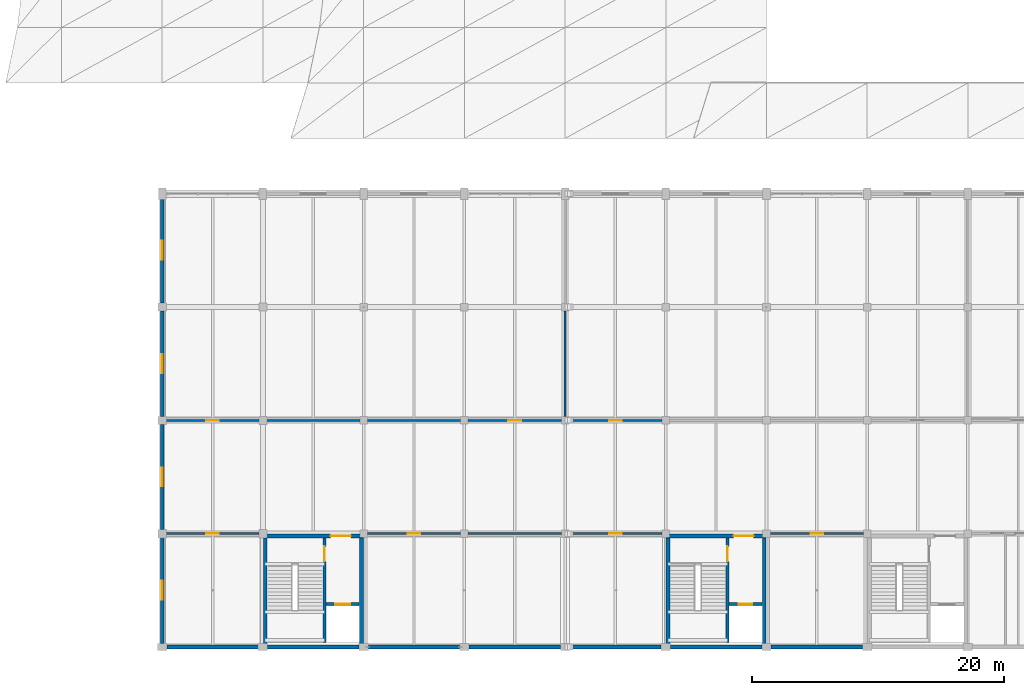
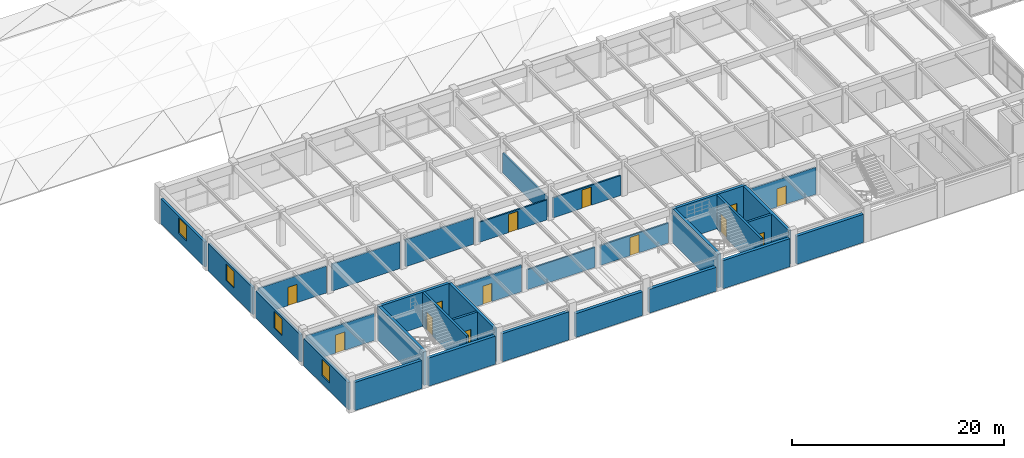
# One storey, part 96 of 126: 32 walls, 13 doors, 4 windows, 17 openings.
"""IFC4 building model written with IfcOpenShell, lengths in metres."""

from ifc_helpers import new_model, si_unit, direction, frame, frame_2d, origin, place, context, subcontext, project, spatial, rectangle, extrude, material, layer, layer_set, type_object, element, fill, save


model = new_model("IFC4")

# Units and contexts
model_context = context("Model", 3, precision=1e-05, world=origin(), true_north=direction((0.0, 1.0)))
body_context = subcontext(model_context, "Body", "Model", "MODEL_VIEW")
ifc_project = project(units=[si_unit("LENGTHUNIT", "METRE"), si_unit("AREAUNIT", "SQUARE_METRE"), si_unit("VOLUMEUNIT", "CUBIC_METRE"), si_unit("PLANEANGLEUNIT", "RADIAN"), si_unit("MASSUNIT", "GRAM", prefix="KILO")], contexts=[model_context])

# Site, building, storey
site_placement = place(None, origin())
site = spatial("IfcSite", under=ifc_project, at=site_placement, CompositionType="ELEMENT")
building_placement = place(site_placement, origin())
building = spatial("IfcBuilding", under=site, at=building_placement, Name="Varnabhumi Central Station", CompositionType="ELEMENT")
storey_placement = place(building_placement, frame((0.0, 0.0, 16.199951171875)))
storey = spatial("IfcBuildingStorey", under=building, at=storey_placement, Name="L03", CompositionType="ELEMENT", Elevation=16.199951171875)

# Walls
ifc_material_1 = material(Name="Concrete M40", Category="concrete")
ifc_layer_1 = layer(ifc_material_1, 0.300048828125, Name="Concrete M40", Category="concrete")
ifc_layer_set_1 = layer_set([ifc_layer_1], Name="Concrete M40")
wall_type_1 = type_object("IfcWallType", Name="WAL-CORE-RC-300", PredefinedType="SHEAR", material=ifc_layer_set_1)
for number, where, z_axis, x_axis, name in (
    (1, (40.179931640625, 0.179931640625, 0.0), (0.0, 0.0, 1.0), (0.0, 1.0, 0.0), "SC1 L03 West Shear Wall"),
    (2, (47.820068359375, 0.179931640625, 0.0), (0.0, 0.0, 1.0), (0.0, 1.0, 0.0), "SC1 L03 East Shear Wall"),
):
    element("IfcWall", number, at=place(storey_placement, frame(where, z_axis=z_axis, x_axis=x_axis)), inside=storey, type_object=wall_type_1, Name=name, PredefinedType="SHEAR", context=body_context, shape_type="SweptSolid", body=[
        extrude(rectangle(XDim=8.64013671875, YDim=0.300048828125, at=frame_2d((4.320068359375, 0.0))), origin(), (0.0, 0.0, 1.0), 3.920166015625),
    ])

# Wall, opening, door
wall_1_placement = place(storey_placement, frame((40.030029296875, 8.820068359375, 0.0), z_axis=(0.0, 0.0, 1.0), x_axis=(1.0, 0.0, 0.0)))
wall_1 = element("IfcWall", 3, at=wall_1_placement, inside=storey, type_object=wall_type_1, Name="SC1 L03 Corridor Shear Wall", PredefinedType="SHEAR", context=body_context, shape_type="SweptSolid", body=[
    extrude(rectangle(XDim=7.93994140625, YDim=0.300048828125, at=frame_2d((3.969970703125, 0.0))), origin(), (0.0, 0.0, 1.0), 3.920166015625),
])
opening_1_placement = place(wall_1_placement, frame((5.35009765625, 0.0, 0.0)))
opening_1 = element("IfcOpeningElement", 4, at=opening_1_placement, cuts=wall_1, Name="Opening FD-60D", PredefinedType="OPENING", context=body_context, shape_type="SweptSolid", body=[
    extrude(rectangle(XDim=1.60009765625, YDim=2.14990234375, at=frame_2d((0.800048828125, 1.074951171875))), frame((0.0, 0.159912109375, 0.0), z_axis=(0.0, -1.0, 0.0), x_axis=(1.0, 0.0, 0.0)), (0.0, 0.0, 1.0), 0.320068359375),
])
ifc_material_2 = material(Name="Intumescent-treated hardwood timber", Category="wood")
door_type_1 = type_object("IfcDoorType", Name="DR-FIRE-60-1600", OperationType="NOTDEFINED", PredefinedType="DOOR", material=ifc_material_2)
door_1_placement = place(opening_1_placement, origin())
door_1 = element("IfcDoor", 5, at=door_1_placement, inside=storey, type_object=door_type_1, Name="SC1 L03 Lobby Fire Door", OperationType="DOUBLE_DOOR_SINGLE_SWING", OverallHeight=2.14990234375, OverallWidth=1.60009765625, PredefinedType="DOOR", context=body_context, shape_type="SweptSolid", body=[
    extrude(rectangle(XDim=1.60009765625, YDim=2.14990234375, at=frame_2d((0.800048828125, 1.074951171875))), frame((0.0, 0.02490234375, 0.0), z_axis=(0.0, -1.0, 0.0), x_axis=(1.0, 0.0, 0.0)), (0.0, 0.0, 1.0), 0.050048828125),
])
fill(opening_1, door_1)

# Walls
for number, where, z_axis, x_axis, name in (
    (6, (72.179931640625, 0.179931640625, 0.0), (0.0, 0.0, 1.0), (0.0, 1.0, 0.0), "SC4 L03 West Shear Wall"),
    (7, (79.820068359375, 0.179931640625, 0.0), (0.0, 0.0, 1.0), (0.0, 1.0, 0.0), "SC4 L03 East Shear Wall"),
):
    element("IfcWall", number, at=place(storey_placement, frame(where, z_axis=z_axis, x_axis=x_axis)), inside=storey, type_object=wall_type_1, Name=name, PredefinedType="SHEAR", context=body_context, shape_type="SweptSolid", body=[
        extrude(rectangle(XDim=8.64013671875, YDim=0.300048828125, at=frame_2d((4.320068359375, 0.0))), origin(), (0.0, 0.0, 1.0), 3.920166015625),
    ])

# Wall, opening, door
wall_2_placement = place(storey_placement, frame((72.030029296875, 8.820068359375, 0.0), z_axis=(0.0, 0.0, 1.0), x_axis=(1.0, 0.0, 0.0)))
wall_2 = element("IfcWall", 8, at=wall_2_placement, inside=storey, type_object=wall_type_1, Name="SC4 L03 Corridor Shear Wall", PredefinedType="SHEAR", context=body_context, shape_type="SweptSolid", body=[
    extrude(rectangle(XDim=7.93994140625, YDim=0.300048828125, at=frame_2d((3.969970703125, 0.0))), origin(), (0.0, 0.0, 1.0), 3.920166015625),
])
opening_2_placement = place(wall_2_placement, frame((5.35009765625, 0.0, 0.0)))
opening_2 = element("IfcOpeningElement", 9, at=opening_2_placement, cuts=wall_2, Name="Opening FD-60D", PredefinedType="OPENING", context=body_context, shape_type="SweptSolid", body=[
    extrude(rectangle(XDim=1.60009765625, YDim=2.14990234375, at=frame_2d((0.800048828125, 1.074951171875))), frame((0.0, 0.159912109375, 0.0), z_axis=(0.0, -1.0, 0.0), x_axis=(1.0, 0.0, 0.0)), (0.0, 0.0, 1.0), 0.320068359375),
])
door_2_placement = place(opening_2_placement, origin())
door_2 = element("IfcDoor", 10, at=door_2_placement, inside=storey, type_object=door_type_1, Name="SC4 L03 Lobby Fire Door", OperationType="DOUBLE_DOOR_SINGLE_SWING", OverallHeight=2.14990234375, OverallWidth=1.60009765625, PredefinedType="DOOR", context=body_context, shape_type="SweptSolid", body=[
    extrude(rectangle(XDim=1.60009765625, YDim=2.14990234375, at=frame_2d((0.800048828125, 1.074951171875))), frame((0.0, 0.02490234375, 0.0), z_axis=(0.0, -1.0, 0.0), x_axis=(1.0, 0.0, 0.0)), (0.0, 0.0, 1.0), 0.050048828125),
])
fill(opening_2, door_2)

# Wall, opening, window
ifc_material_3 = material(Name="Autoclaved aerated blockwork masonry", Category="masonry")
ifc_layer_2 = layer(ifc_material_3, 0.260009765625, Name="Autoclaved aerated blockwork masonry", Category="masonry")
ifc_layer_set_2 = layer_set([ifc_layer_2], Name="Autoclaved aerated blockwork masonry")
wall_type_2 = type_object("IfcWallType", Name="WAL-EXT-STUCCO-260", PredefinedType="SOLIDWALL", material=ifc_layer_set_2)
wall_3_placement = place(storey_placement, frame((32.0, 0.27001953125, 0.0), z_axis=(0.0, 0.0, 1.0), x_axis=(0.0, 1.0, 0.0)))
wall_3 = element("IfcWall", 11, at=wall_3_placement, inside=storey, type_object=wall_type_2, Name="South Wing E End Wall L03-1", PredefinedType="SOLIDWALL", context=body_context, shape_type="SweptSolid", body=[
    extrude(rectangle(XDim=8.409912109375, YDim=0.260009765625, at=frame_2d((4.205078125, 0.0))), origin(), (0.0, 0.0, 1.0), 3.130126953125),
])
opening_3_placement = place(wall_3_placement, frame((3.47998046875, 0.0, 0.949951171875)))
opening_3 = element("IfcOpeningElement", 12, at=opening_3_placement, cuts=wall_3, Name="Opening W-07", PredefinedType="OPENING", context=body_context, shape_type="SweptSolid", body=[
    extrude(rectangle(XDim=1.5, YDim=1.89990234375, at=frame_2d((0.75, 0.949951171875))), frame((0.0, 0.139892578125, 0.0), z_axis=(0.0, -1.0, 0.0), x_axis=(1.0, 0.0, 0.0)), (0.0, 0.0, 1.0), 0.280029296875),
])
ifc_material_4 = material(Name="Laminated low-E double glazing", Category="glass")
window_type = type_object("IfcWindowType", Name="WIN-OPS-1500x1900", PartitioningType="SINGLE_PANEL", PredefinedType="WINDOW", material=ifc_material_4)
window_1_placement = place(opening_3_placement, origin())
window_1 = element("IfcWindow", 13, at=window_1_placement, inside=storey, type_object=window_type, Name="South E Window L03-1", OverallHeight=1.89990234375, OverallWidth=1.5, PartitioningType="SINGLE_PANEL", PredefinedType="WINDOW", context=body_context, shape_type="SweptSolid", body=[
    extrude(rectangle(XDim=1.5, YDim=1.89990234375, at=frame_2d((0.75, 0.949951171875))), frame((0.0, 0.030029296875, 0.0), z_axis=(0.0, -1.0, 0.0), x_axis=(1.0, 0.0, 0.0)), (0.0, 0.0, 1.0), 0.06005859375),
])
fill(opening_3, window_1)

wall_4_placement = place(storey_placement, frame((32.0, 9.320068359375, 0.0), z_axis=(0.0, 0.0, 1.0), x_axis=(0.0, 1.0, 0.0)))
wall_4 = element("IfcWall", 14, at=wall_4_placement, inside=storey, type_object=wall_type_2, Name="South Wing E End Wall L03-2", PredefinedType="SOLIDWALL", context=body_context, shape_type="SweptSolid", body=[
    extrude(rectangle(XDim=8.35986328125, YDim=0.260009765625, at=frame_2d((4.179931640625, 0.0))), origin(), (0.0, 0.0, 1.0), 3.130126953125),
])
opening_4_placement = place(wall_4_placement, frame((3.429931640625, 0.0, 0.949951171875)))
opening_4 = element("IfcOpeningElement", 15, at=opening_4_placement, cuts=wall_4, Name="Opening W-07", PredefinedType="OPENING", context=body_context, shape_type="SweptSolid", body=[
    extrude(rectangle(XDim=1.5, YDim=1.89990234375, at=frame_2d((0.75, 0.949951171875))), frame((0.0, 0.139892578125, 0.0), z_axis=(0.0, -1.0, 0.0), x_axis=(1.0, 0.0, 0.0)), (0.0, 0.0, 1.0), 0.280029296875),
])
window_2_placement = place(opening_4_placement, origin())
window_2 = element("IfcWindow", 16, at=window_2_placement, inside=storey, type_object=window_type, Name="South E Window L03-2", OverallHeight=1.89990234375, OverallWidth=1.5, PartitioningType="SINGLE_PANEL", PredefinedType="WINDOW", context=body_context, shape_type="SweptSolid", body=[
    extrude(rectangle(XDim=1.5, YDim=1.89990234375, at=frame_2d((0.75, 0.949951171875))), frame((0.0, 0.030029296875, 0.0), z_axis=(0.0, -1.0, 0.0), x_axis=(1.0, 0.0, 0.0)), (0.0, 0.0, 1.0), 0.06005859375),
])
fill(opening_4, window_2)

wall_5_placement = place(storey_placement, frame((32.0, 18.320068359375, 0.0), z_axis=(0.0, 0.0, 1.0), x_axis=(0.0, 1.0, 0.0)))
wall_5 = element("IfcWall", 17, at=wall_5_placement, inside=storey, type_object=wall_type_2, Name="South Wing E End Wall L03-3", PredefinedType="SOLIDWALL", context=body_context, shape_type="SweptSolid", body=[
    extrude(rectangle(XDim=8.35986328125, YDim=0.260009765625, at=frame_2d((4.179931640625, 0.0))), origin(), (0.0, 0.0, 1.0), 3.130126953125),
])
opening_5_placement = place(wall_5_placement, frame((3.429931640625, 0.0, 0.949951171875)))
opening_5 = element("IfcOpeningElement", 18, at=opening_5_placement, cuts=wall_5, Name="Opening W-07", PredefinedType="OPENING", context=body_context, shape_type="SweptSolid", body=[
    extrude(rectangle(XDim=1.5, YDim=1.89990234375, at=frame_2d((0.75, 0.949951171875))), frame((0.0, 0.139892578125, 0.0), z_axis=(0.0, -1.0, 0.0), x_axis=(1.0, 0.0, 0.0)), (0.0, 0.0, 1.0), 0.280029296875),
])
window_3_placement = place(opening_5_placement, origin())
window_3 = element("IfcWindow", 19, at=window_3_placement, inside=storey, type_object=window_type, Name="South E Window L03-3", OverallHeight=1.89990234375, OverallWidth=1.5, PartitioningType="SINGLE_PANEL", PredefinedType="WINDOW", context=body_context, shape_type="SweptSolid", body=[
    extrude(rectangle(XDim=1.5, YDim=1.89990234375, at=frame_2d((0.75, 0.949951171875))), frame((0.0, 0.030029296875, 0.0), z_axis=(0.0, -1.0, 0.0), x_axis=(1.0, 0.0, 0.0)), (0.0, 0.0, 1.0), 0.06005859375),
])
fill(opening_5, window_3)

wall_6_placement = place(storey_placement, frame((32.0, 27.320068359375, 0.0), z_axis=(0.0, 0.0, 1.0), x_axis=(0.0, 1.0, 0.0)))
wall_6 = element("IfcWall", 20, at=wall_6_placement, inside=storey, type_object=wall_type_2, Name="South Wing E End Wall L03-4", PredefinedType="SOLIDWALL", context=body_context, shape_type="SweptSolid", body=[
    extrude(rectangle(XDim=8.280029296875, YDim=0.260009765625, at=frame_2d((4.14013671875, 0.0))), origin(), (0.0, 0.0, 1.0), 2.880126953125),
])
opening_6_placement = place(wall_6_placement, frame((3.429931640625, 0.0, 0.949951171875)))
opening_6 = element("IfcOpeningElement", 21, at=opening_6_placement, cuts=wall_6, Name="Opening W-07", PredefinedType="OPENING", context=body_context, shape_type="SweptSolid", body=[
    extrude(rectangle(XDim=1.5, YDim=1.7900390625, at=frame_2d((0.75, 0.89501953125))), frame((0.0, 0.139892578125, 0.0), z_axis=(0.0, -1.0, 0.0), x_axis=(1.0, 0.0, 0.0)), (0.0, 0.0, 1.0), 0.280029296875),
])
window_4_placement = place(opening_6_placement, origin())
window_4 = element("IfcWindow", 22, at=window_4_placement, inside=storey, type_object=window_type, Name="South E Window L03-4", OverallHeight=1.7900390625, OverallWidth=1.5, PartitioningType="SINGLE_PANEL", PredefinedType="WINDOW", context=body_context, shape_type="SweptSolid", body=[
    extrude(rectangle(XDim=1.5, YDim=1.7900390625, at=frame_2d((0.75, 0.89501953125))), frame((0.0, 0.030029296875, 0.0), z_axis=(0.0, -1.0, 0.0), x_axis=(1.0, 0.0, 0.0)), (0.0, 0.0, 1.0), 0.06005859375),
])
fill(opening_6, window_4)

# Wall, opening, door
ifc_layer_3 = layer(ifc_material_3, 0.159912109375, Name="Autoclaved aerated blockwork masonry", Category="masonry")
ifc_layer_set_3 = layer_set([ifc_layer_3], Name="Autoclaved aerated blockwork masonry")
wall_type_3 = type_object("IfcWallType", Name="WAL-PART-AAC-160", PredefinedType="PARTITIONING", material=ifc_layer_set_3)
wall_7_placement = place(storey_placement, frame((32.300048828125, 18.0, 0.0), z_axis=(0.0, 0.0, 1.0), x_axis=(1.0, 0.0, 0.0)))
wall_7 = element("IfcWall", 23, at=wall_7_placement, inside=storey, type_object=wall_type_3, Name="Station Master Panel Cabin and SM-OCIP Corridor Partition 1", PredefinedType="PARTITIONING", context=body_context, shape_type="SweptSolid", body=[
    extrude(rectangle(XDim=7.39990234375, YDim=0.159912109375, at=frame_2d((3.699951171875, 0.0))), origin(), (0.0, 0.0, 1.0), 3.10009765625),
])
opening_7_placement = place(wall_7_placement, frame((3.199951171875, 0.0, 0.0)))
opening_7 = element("IfcOpeningElement", 24, at=opening_7_placement, cuts=wall_7, Name="Opening D-01", PredefinedType="OPENING", context=body_context, shape_type="SweptSolid", body=[
    extrude(rectangle(XDim=1.0, YDim=2.10009765625, at=frame_2d((0.5, 1.050048828125))), frame((0.0, 0.08984375, 0.0), z_axis=(0.0, -1.0, 0.0), x_axis=(1.0, 0.0, 0.0)), (0.0, 0.0, 1.0), 0.179931640625),
])
door_type_2 = type_object("IfcDoorType", Name="DR-ROOM-1000", OperationType="NOTDEFINED", PredefinedType="DOOR", material=ifc_material_2)
door_3_placement = place(opening_7_placement, frame((1.0, 0.0, 0.0), z_axis=(0.0, 0.0, 1.0), x_axis=(-1.0, 0.0, 0.0)))
door_3 = element("IfcDoor", 25, at=door_3_placement, inside=storey, type_object=door_type_2, Name="Station Master Panel Cabin and SM-OCIP Door 1", OperationType="SINGLE_SWING_LEFT", OverallHeight=2.10009765625, OverallWidth=1.0, PredefinedType="DOOR", context=body_context, shape_type="SweptSolid", body=[
    extrude(rectangle(XDim=1.0, YDim=2.10009765625, at=frame_2d((0.5, 1.050048828125))), frame((0.0, 0.02490234375, 0.0), z_axis=(0.0, -1.0, 0.0), x_axis=(1.0, 0.0, 0.0)), (0.0, 0.0, 1.0), 0.050048828125),
])
fill(opening_7, door_3)

# Walls
for number, where, z_axis, x_axis, name in (
    (26, (40.300048828125, 18.0, 0.0), (0.0, 0.0, 1.0), (1.0, 0.0, 0.0), "Station Master Panel Cabin and SM-OCIP Corridor Partition 2"),
    (27, (48.300048828125, 18.0, 0.0), (0.0, 0.0, 1.0), (1.0, 0.0, 0.0), "Station Master Panel Cabin and SM-OCIP Corridor Partition 3"),
):
    element("IfcWall", number, at=place(storey_placement, frame(where, z_axis=z_axis, x_axis=x_axis)), inside=storey, type_object=wall_type_3, Name=name, PredefinedType="PARTITIONING", context=body_context, shape_type="SweptSolid", body=[
        extrude(rectangle(XDim=7.39990234375, YDim=0.159912109375, at=frame_2d((3.699951171875, 0.0))), origin(), (0.0, 0.0, 1.0), 3.10009765625),
    ])

# Wall, opening, door
wall_8_placement = place(storey_placement, frame((56.300048828125, 18.0, 0.0), z_axis=(0.0, 0.0, 1.0), x_axis=(1.0, 0.0, 0.0)))
wall_8 = element("IfcWall", 28, at=wall_8_placement, inside=storey, type_object=wall_type_3, Name="Station Master Panel Cabin and SM-OCIP Corridor Partition 4", PredefinedType="PARTITIONING", context=body_context, shape_type="SweptSolid", body=[
    extrude(rectangle(XDim=7.39990234375, YDim=0.159912109375, at=frame_2d((3.699951171875, 0.0))), origin(), (0.0, 0.0, 1.0), 2.300048828125),
])
opening_8_placement = place(wall_8_placement, frame((3.199951171875, 0.0, 0.0)))
opening_8 = element("IfcOpeningElement", 29, at=opening_8_placement, cuts=wall_8, Name="Opening D-01", PredefinedType="OPENING", context=body_context, shape_type="SweptSolid", body=[
    extrude(rectangle(XDim=1.0, YDim=2.10009765625, at=frame_2d((0.5, 1.050048828125))), frame((0.0, 0.08984375, 0.0), z_axis=(0.0, -1.0, 0.0), x_axis=(1.0, 0.0, 0.0)), (0.0, 0.0, 1.0), 0.179931640625),
])
door_4_placement = place(opening_8_placement, frame((1.0, 0.0, 0.0), z_axis=(0.0, 0.0, 1.0), x_axis=(-1.0, 0.0, 0.0)))
door_4 = element("IfcDoor", 30, at=door_4_placement, inside=storey, type_object=door_type_2, Name="Station Master Panel Cabin and SM-OCIP Door 4", OperationType="SINGLE_SWING_RIGHT", OverallHeight=2.10009765625, OverallWidth=1.0, PredefinedType="DOOR", context=body_context, shape_type="SweptSolid", body=[
    extrude(rectangle(XDim=1.0, YDim=2.10009765625, at=frame_2d((0.5, 1.050048828125))), frame((0.0, 0.02490234375, 0.0), z_axis=(0.0, -1.0, 0.0), x_axis=(1.0, 0.0, 0.0)), (0.0, 0.0, 1.0), 0.050048828125),
])
fill(opening_8, door_4)

# Wall
wall_9_placement = place(storey_placement, frame((64.0, 18.300048828125, 0.0), z_axis=(0.0, 0.0, 1.0), x_axis=(0.0, 1.0, 0.0)))
element("IfcWall", 31, at=wall_9_placement, inside=storey, type_object=wall_type_3, Name="Station Master Panel Cabin and SM-OCIP W Partition 1", PredefinedType="PARTITIONING", context=body_context, shape_type="SweptSolid", body=[
    extrude(rectangle(XDim=8.39990234375, YDim=0.159912109375, at=frame_2d((4.199951171875, 0.0))), origin(), (0.0, 0.0, 1.0), 2.300048828125),
])

# Wall, opening, door
wall_10_placement = place(storey_placement, frame((64.300048828125, 18.0, 0.0), z_axis=(0.0, 0.0, 1.0), x_axis=(1.0, 0.0, 0.0)))
wall_10 = element("IfcWall", 32, at=wall_10_placement, inside=storey, type_object=wall_type_3, Name="Station Control Room Corridor Partition 1", PredefinedType="PARTITIONING", context=body_context, shape_type="SweptSolid", body=[
    extrude(rectangle(XDim=7.39990234375, YDim=0.159912109375, at=frame_2d((3.699951171875, 0.0))), origin(), (0.0, 0.0, 1.0), 2.300048828125),
])
opening_9_placement = place(wall_10_placement, frame((3.199951171875, 0.0, 0.0)))
opening_9 = element("IfcOpeningElement", 33, at=opening_9_placement, cuts=wall_10, Name="Opening D-01", PredefinedType="OPENING", context=body_context, shape_type="SweptSolid", body=[
    extrude(rectangle(XDim=1.0, YDim=2.10009765625, at=frame_2d((0.5, 1.050048828125))), frame((0.0, 0.08984375, 0.0), z_axis=(0.0, -1.0, 0.0), x_axis=(1.0, 0.0, 0.0)), (0.0, 0.0, 1.0), 0.179931640625),
])
door_5_placement = place(opening_9_placement, frame((1.0, 0.0, 0.0), z_axis=(0.0, 0.0, 1.0), x_axis=(-1.0, 0.0, 0.0)))
door_5 = element("IfcDoor", 34, at=door_5_placement, inside=storey, type_object=door_type_2, Name="Station Control Room Door 1", OperationType="SINGLE_SWING_LEFT", OverallHeight=2.10009765625, OverallWidth=1.0, PredefinedType="DOOR", context=body_context, shape_type="SweptSolid", body=[
    extrude(rectangle(XDim=1.0, YDim=2.10009765625, at=frame_2d((0.5, 1.050048828125))), frame((0.0, 0.02490234375, 0.0), z_axis=(0.0, -1.0, 0.0), x_axis=(1.0, 0.0, 0.0)), (0.0, 0.0, 1.0), 0.050048828125),
])
fill(opening_9, door_5)

wall_11_placement = place(storey_placement, frame((32.300048828125, 9.0, 0.0), z_axis=(0.0, 0.0, 1.0), x_axis=(1.0, 0.0, 0.0)))
wall_11 = element("IfcWall", 35, at=wall_11_placement, inside=storey, type_object=wall_type_3, Name="Duty Operations Briefing Room Corridor Partition 1", PredefinedType="PARTITIONING", context=body_context, shape_type="SweptSolid", body=[
    extrude(rectangle(XDim=7.39990234375, YDim=0.159912109375, at=frame_2d((3.699951171875, 0.0))), origin(), (0.0, 0.0, 1.0), 3.10009765625),
])
opening_10_placement = place(wall_11_placement, frame((3.199951171875, 0.0, 0.0)))
opening_10 = element("IfcOpeningElement", 36, at=opening_10_placement, cuts=wall_11, Name="Opening D-01", PredefinedType="OPENING", context=body_context, shape_type="SweptSolid", body=[
    extrude(rectangle(XDim=1.0, YDim=2.10009765625, at=frame_2d((0.5, 1.050048828125))), frame((0.0, 0.08984375, 0.0), z_axis=(0.0, -1.0, 0.0), x_axis=(1.0, 0.0, 0.0)), (0.0, 0.0, 1.0), 0.179931640625),
])
door_6_placement = place(opening_10_placement, origin())
door_6 = element("IfcDoor", 37, at=door_6_placement, inside=storey, type_object=door_type_2, Name="Duty Operations Briefing Room Door 1", OperationType="SINGLE_SWING_RIGHT", OverallHeight=2.10009765625, OverallWidth=1.0, PredefinedType="DOOR", context=body_context, shape_type="SweptSolid", body=[
    extrude(rectangle(XDim=1.0, YDim=2.10009765625, at=frame_2d((0.5, 1.050048828125))), frame((0.0, 0.02490234375, 0.0), z_axis=(0.0, -1.0, 0.0), x_axis=(1.0, 0.0, 0.0)), (0.0, 0.0, 1.0), 0.050048828125),
])
fill(opening_10, door_6)

wall_12_placement = place(storey_placement, frame((80.300048828125, 9.0, 0.0), z_axis=(0.0, 0.0, 1.0), x_axis=(1.0, 0.0, 0.0)))
wall_12 = element("IfcWall", 38, at=wall_12_placement, inside=storey, type_object=wall_type_3, Name="Integrated CCTV and Security Analytics Room Corridor Partition 1", PredefinedType="PARTITIONING", context=body_context, shape_type="SweptSolid", body=[
    extrude(rectangle(XDim=7.39990234375, YDim=0.159912109375, at=frame_2d((3.699951171875, 0.0))), origin(), (0.0, 0.0, 1.0), 3.10009765625),
])
opening_11_placement = place(wall_12_placement, frame((3.199951171875, 0.0, 0.0)))
opening_11 = element("IfcOpeningElement", 39, at=opening_11_placement, cuts=wall_12, Name="Opening D-01", PredefinedType="OPENING", context=body_context, shape_type="SweptSolid", body=[
    extrude(rectangle(XDim=1.0, YDim=2.10009765625, at=frame_2d((0.5, 1.050048828125))), frame((0.0, 0.08984375, 0.0), z_axis=(0.0, -1.0, 0.0), x_axis=(1.0, 0.0, 0.0)), (0.0, 0.0, 1.0), 0.179931640625),
])
door_7_placement = place(opening_11_placement, origin())
door_7 = element("IfcDoor", 40, at=door_7_placement, inside=storey, type_object=door_type_2, Name="Integrated CCTV and Security Analytics Room Door 1", OperationType="SINGLE_SWING_LEFT", OverallHeight=2.10009765625, OverallWidth=1.0, PredefinedType="DOOR", context=body_context, shape_type="SweptSolid", body=[
    extrude(rectangle(XDim=1.0, YDim=2.10009765625, at=frame_2d((0.5, 1.050048828125))), frame((0.0, 0.02490234375, 0.0), z_axis=(0.0, -1.0, 0.0), x_axis=(1.0, 0.0, 0.0)), (0.0, 0.0, 1.0), 0.050048828125),
])
fill(opening_11, door_7)

wall_13_placement = place(storey_placement, frame((48.300048828125, 9.0, 0.0), z_axis=(0.0, 0.0, 1.0), x_axis=(1.0, 0.0, 0.0)))
wall_13 = element("IfcWall", 41, at=wall_13_placement, inside=storey, type_object=wall_type_3, Name="Railway Security Radio Control Room Corridor Partition 1", PredefinedType="PARTITIONING", context=body_context, shape_type="SweptSolid", body=[
    extrude(rectangle(XDim=7.39990234375, YDim=0.159912109375, at=frame_2d((3.699951171875, 0.0))), origin(), (0.0, 0.0, 1.0), 3.10009765625),
])
opening_12_placement = place(wall_13_placement, frame((3.199951171875, 0.0, 0.0)))
opening_12 = element("IfcOpeningElement", 42, at=opening_12_placement, cuts=wall_13, Name="Opening D-01", PredefinedType="OPENING", context=body_context, shape_type="SweptSolid", body=[
    extrude(rectangle(XDim=1.0, YDim=2.10009765625, at=frame_2d((0.5, 1.050048828125))), frame((0.0, 0.08984375, 0.0), z_axis=(0.0, -1.0, 0.0), x_axis=(1.0, 0.0, 0.0)), (0.0, 0.0, 1.0), 0.179931640625),
])
door_8_placement = place(opening_12_placement, origin())
door_8 = element("IfcDoor", 43, at=door_8_placement, inside=storey, type_object=door_type_2, Name="Railway Security Radio Control Room Door 1", OperationType="SINGLE_SWING_RIGHT", OverallHeight=2.10009765625, OverallWidth=1.0, PredefinedType="DOOR", context=body_context, shape_type="SweptSolid", body=[
    extrude(rectangle(XDim=1.0, YDim=2.10009765625, at=frame_2d((0.5, 1.050048828125))), frame((0.0, 0.02490234375, 0.0), z_axis=(0.0, -1.0, 0.0), x_axis=(1.0, 0.0, 0.0)), (0.0, 0.0, 1.0), 0.050048828125),
])
fill(opening_12, door_8)

# Wall
wall_14_placement = place(storey_placement, frame((56.300048828125, 9.0, 0.0), z_axis=(0.0, 0.0, 1.0), x_axis=(1.0, 0.0, 0.0)))
element("IfcWall", 44, at=wall_14_placement, inside=storey, type_object=wall_type_3, Name="Railway Security Radio Control Room Corridor Partition 2", PredefinedType="PARTITIONING", context=body_context, shape_type="SweptSolid", body=[
    extrude(rectangle(XDim=7.39990234375, YDim=0.159912109375, at=frame_2d((3.699951171875, 0.0))), origin(), (0.0, 0.0, 1.0), 2.300048828125),
])

# Wall, opening, door
wall_15_placement = place(storey_placement, frame((64.300048828125, 9.0, 0.0), z_axis=(0.0, 0.0, 1.0), x_axis=(1.0, 0.0, 0.0)))
wall_15 = element("IfcWall", 45, at=wall_15_placement, inside=storey, type_object=wall_type_3, Name="Railway Security Radio Control Room Corridor Partition 3", PredefinedType="PARTITIONING", context=body_context, shape_type="SweptSolid", body=[
    extrude(rectangle(XDim=7.39990234375, YDim=0.159912109375, at=frame_2d((3.699951171875, 0.0))), origin(), (0.0, 0.0, 1.0), 2.300048828125),
])
opening_13_placement = place(wall_15_placement, frame((3.199951171875, 0.0, 0.0)))
opening_13 = element("IfcOpeningElement", 46, at=opening_13_placement, cuts=wall_15, Name="Opening D-01", PredefinedType="OPENING", context=body_context, shape_type="SweptSolid", body=[
    extrude(rectangle(XDim=1.0, YDim=2.10009765625, at=frame_2d((0.5, 1.050048828125))), frame((0.0, 0.08984375, 0.0), z_axis=(0.0, -1.0, 0.0), x_axis=(1.0, 0.0, 0.0)), (0.0, 0.0, 1.0), 0.179931640625),
])
door_9_placement = place(opening_13_placement, origin())
door_9 = element("IfcDoor", 47, at=door_9_placement, inside=storey, type_object=door_type_2, Name="Railway Security Radio Control Room Door 3", OperationType="SINGLE_SWING_LEFT", OverallHeight=2.10009765625, OverallWidth=1.0, PredefinedType="DOOR", context=body_context, shape_type="SweptSolid", body=[
    extrude(rectangle(XDim=1.0, YDim=2.10009765625, at=frame_2d((0.5, 1.050048828125))), frame((0.0, 0.02490234375, 0.0), z_axis=(0.0, -1.0, 0.0), x_axis=(1.0, 0.0, 0.0)), (0.0, 0.0, 1.0), 0.050048828125),
])
fill(opening_13, door_9)

ifc_layer_4 = layer(ifc_material_1, 0.239990234375, Name="Concrete M40", Category="concrete")
ifc_layer_set_4 = layer_set([ifc_layer_4], Name="Concrete M40")
wall_type_4 = type_object("IfcWallType", Name="WAL-SHAFT-RC-240", PredefinedType="SHEAR", material=ifc_layer_set_4)
wall_16_placement = place(storey_placement, frame((44.89990234375, 0.35009765625, 0.0), z_axis=(0.0, 0.0, 1.0), x_axis=(0.0, 1.0, 0.0)))
wall_16 = element("IfcWall", 48, at=wall_16_placement, inside=storey, type_object=wall_type_4, Name="SC1 L03 Stair-Lobby Divider Wall", PredefinedType="SHEAR", context=body_context, shape_type="SweptSolid", body=[
    extrude(rectangle(XDim=8.2998046875, YDim=0.239990234375, at=frame_2d((4.14990234375, 0.0))), origin(), (0.0, 0.0, 1.0), 3.920166015625),
])
opening_14_placement = place(wall_16_placement, frame((6.449951171875, 0.0, 0.0)))
opening_14 = element("IfcOpeningElement", 49, at=opening_14_placement, cuts=wall_16, Name="Opening FD-120", PredefinedType="OPENING", context=body_context, shape_type="SweptSolid", body=[
    extrude(rectangle(XDim=1.199951171875, YDim=2.14990234375, at=frame_2d((0.60009765625, 1.074951171875))), frame((0.0, 0.1298828125, 0.0), z_axis=(0.0, -1.0, 0.0), x_axis=(1.0, 0.0, 0.0)), (0.0, 0.0, 1.0), 0.260009765625),
])
ifc_material_5 = material(Name="Stainless steel Grade 316", Category="steel")
door_type_3 = type_object("IfcDoorType", Name="DR-FIRE-120-1200", OperationType="NOTDEFINED", PredefinedType="DOOR", material=ifc_material_5)
door_10_placement = place(opening_14_placement, origin())
door_10 = element("IfcDoor", 50, at=door_10_placement, inside=storey, type_object=door_type_3, Name="ST-S1 L03 Fire Door", OperationType="SINGLE_SWING_RIGHT", OverallHeight=2.14990234375, OverallWidth=1.199951171875, PredefinedType="DOOR", context=body_context, shape_type="SweptSolid", body=[
    extrude(rectangle(XDim=1.199951171875, YDim=2.14990234375, at=frame_2d((0.60009765625, 1.074951171875))), frame((0.0, 0.02490234375, 0.0), z_axis=(0.0, -1.0, 0.0), x_axis=(1.0, 0.0, 0.0)), (0.0, 0.0, 1.0), 0.050048828125),
])
fill(opening_14, door_10)

wall_17_placement = place(storey_placement, frame((45.02001953125, 3.39990234375, 0.0), z_axis=(0.0, 0.0, 1.0), x_axis=(1.0, 0.0, 0.0)))
wall_17 = element("IfcWall", 51, at=wall_17_placement, inside=storey, type_object=wall_type_4, Name="FL-1 L03 Lift Shaft Front Wall", PredefinedType="SHEAR", context=body_context, shape_type="SweptSolid", body=[
    extrude(rectangle(XDim=2.6298828125, YDim=0.239990234375, at=frame_2d((1.31494140625, 0.0))), origin(), (0.0, 0.0, 1.0), 3.920166015625),
])
opening_15_placement = place(wall_17_placement, frame((0.715087890625, 0.0, 0.0)))
opening_15 = element("IfcOpeningElement", 52, at=opening_15_placement, cuts=wall_17, Name="Opening LD-FL-1", PredefinedType="OPENING", context=body_context, shape_type="SweptSolid", body=[
    extrude(rectangle(XDim=1.199951171875, YDim=2.14990234375, at=frame_2d((0.60009765625, 1.074951171875))), frame((0.0, 0.1298828125, 0.0), z_axis=(0.0, -1.0, 0.0), x_axis=(1.0, 0.0, 0.0)), (0.0, 0.0, 1.0), 0.260009765625),
])
door_type_4 = type_object("IfcDoorType", Name="DR-LIFT-FIRE-1200", OperationType="NOTDEFINED", PredefinedType="DOOR", material=ifc_material_5)
door_11_placement = place(opening_15_placement, origin())
door_11 = element("IfcDoor", 53, at=door_11_placement, inside=storey, type_object=door_type_4, Name="Lift Landing Door FL-1 L03", OperationType="DOUBLE_DOOR_SLIDING", OverallHeight=2.14990234375, OverallWidth=1.199951171875, PredefinedType="DOOR", context=body_context, shape_type="SweptSolid", body=[
    extrude(rectangle(XDim=1.199951171875, YDim=2.14990234375, at=frame_2d((0.60009765625, 1.074951171875))), frame((0.0, 0.02490234375, 0.0), z_axis=(0.0, -1.0, 0.0), x_axis=(1.0, 0.0, 0.0)), (0.0, 0.0, 1.0), 0.050048828125),
])
fill(opening_15, door_11)

wall_18_placement = place(storey_placement, frame((76.89990234375, 0.35009765625, 0.0), z_axis=(0.0, 0.0, 1.0), x_axis=(0.0, 1.0, 0.0)))
wall_18 = element("IfcWall", 54, at=wall_18_placement, inside=storey, type_object=wall_type_4, Name="SC4 L03 Stair-Lobby Divider Wall", PredefinedType="SHEAR", context=body_context, shape_type="SweptSolid", body=[
    extrude(rectangle(XDim=8.2998046875, YDim=0.239990234375, at=frame_2d((4.14990234375, 0.0))), origin(), (0.0, 0.0, 1.0), 3.920166015625),
])
opening_16_placement = place(wall_18_placement, frame((6.449951171875, 0.0, 0.0)))
opening_16 = element("IfcOpeningElement", 55, at=opening_16_placement, cuts=wall_18, Name="Opening FD-120", PredefinedType="OPENING", context=body_context, shape_type="SweptSolid", body=[
    extrude(rectangle(XDim=1.199951171875, YDim=2.14990234375, at=frame_2d((0.60009765625, 1.074951171875))), frame((0.0, 0.1298828125, 0.0), z_axis=(0.0, -1.0, 0.0), x_axis=(1.0, 0.0, 0.0)), (0.0, 0.0, 1.0), 0.260009765625),
])
door_12_placement = place(opening_16_placement, origin())
door_12 = element("IfcDoor", 56, at=door_12_placement, inside=storey, type_object=door_type_3, Name="ST-S4 L03 Fire Door", OperationType="SINGLE_SWING_RIGHT", OverallHeight=2.14990234375, OverallWidth=1.199951171875, PredefinedType="DOOR", context=body_context, shape_type="SweptSolid", body=[
    extrude(rectangle(XDim=1.199951171875, YDim=2.14990234375, at=frame_2d((0.60009765625, 1.074951171875))), frame((0.0, 0.02490234375, 0.0), z_axis=(0.0, -1.0, 0.0), x_axis=(1.0, 0.0, 0.0)), (0.0, 0.0, 1.0), 0.050048828125),
])
fill(opening_16, door_12)

wall_19_placement = place(storey_placement, frame((77.02001953125, 3.39990234375, 0.0), z_axis=(0.0, 0.0, 1.0), x_axis=(1.0, 0.0, 0.0)))
wall_19 = element("IfcWall", 57, at=wall_19_placement, inside=storey, type_object=wall_type_4, Name="PL-10 L03 Lift Shaft Front Wall", PredefinedType="SHEAR", context=body_context, shape_type="SweptSolid", body=[
    extrude(rectangle(XDim=2.6298828125, YDim=0.239990234375, at=frame_2d((1.31494140625, 0.0))), origin(), (0.0, 0.0, 1.0), 3.920166015625),
])
opening_17_placement = place(wall_19_placement, frame((0.764892578125, 0.0, 0.0)))
opening_17 = element("IfcOpeningElement", 58, at=opening_17_placement, cuts=wall_19, Name="Opening LD-PL-10", PredefinedType="OPENING", context=body_context, shape_type="SweptSolid", body=[
    extrude(rectangle(XDim=1.10009765625, YDim=2.14990234375, at=frame_2d((0.550048828125, 1.074951171875))), frame((0.0, 0.1298828125, 0.0), z_axis=(0.0, -1.0, 0.0), x_axis=(1.0, 0.0, 0.0)), (0.0, 0.0, 1.0), 0.260009765625),
])
door_type_5 = type_object("IfcDoorType", Name="DR-LIFT-PASS-1100", OperationType="NOTDEFINED", PredefinedType="DOOR", material=ifc_material_5)
door_13_placement = place(opening_17_placement, origin())
door_13 = element("IfcDoor", 59, at=door_13_placement, inside=storey, type_object=door_type_5, Name="Lift Landing Door PL-10 L03", OperationType="DOUBLE_DOOR_SLIDING", OverallHeight=2.14990234375, OverallWidth=1.10009765625, PredefinedType="DOOR", context=body_context, shape_type="SweptSolid", body=[
    extrude(rectangle(XDim=1.10009765625, YDim=2.14990234375, at=frame_2d((0.550048828125, 1.074951171875))), frame((0.0, 0.02490234375, 0.0), z_axis=(0.0, -1.0, 0.0), x_axis=(1.0, 0.0, 0.0)), (0.0, 0.0, 1.0), 0.050048828125),
])
fill(opening_17, door_13)

# Walls
ifc_layer_5 = layer(ifc_material_1, 0.340087890625, Name="Concrete M40", Category="concrete")
ifc_layer_set_5 = layer_set([ifc_layer_5], Name="Concrete M40")
wall_type_5 = type_object("IfcWallType", Name="WAL-SOUTH-FIRE-340", PredefinedType="SOLIDWALL", material=ifc_layer_set_5)
for number, where, z_axis, x_axis, name in (
    (60, (32.3701171875, 0.0, 0.0), (0.0, 0.0, 1.0), (1.0, 0.0, 0.0), "South Infill Boundary Fire Wall L03-1"),
    (61, (40.3701171875, 0.0, 0.0), (0.0, 0.0, 1.0), (1.0, 0.0, 0.0), "South Infill Boundary Fire Wall L03-2"),
    (62, (48.3701171875, 0.0, 0.0), (0.0, 0.0, 1.0), (1.0, 0.0, 0.0), "South Infill Boundary Fire Wall L03-3"),
):
    element("IfcWall", number, at=place(storey_placement, frame(where, z_axis=z_axis, x_axis=x_axis)), inside=storey, type_object=wall_type_5, Name=name, PredefinedType="SOLIDWALL", context=body_context, shape_type="SweptSolid", body=[
        extrude(rectangle(XDim=7.259765625, YDim=0.340087890625, at=frame_2d((3.6298828125, 0.0))), origin(), (0.0, 0.0, 1.0), 3.239990234375),
    ])
for number, where, z_axis, x_axis, name in (
    (63, (56.3701171875, 0.0, 0.0), (0.0, 0.0, 1.0), (1.0, 0.0, 0.0), "South Infill Boundary Fire Wall L03-4"),
    (64, (64.3701171875, 0.0, 0.0), (0.0, 0.0, 1.0), (1.0, 0.0, 0.0), "South Infill Boundary Fire Wall L03-5"),
):
    element("IfcWall", number, at=place(storey_placement, frame(where, z_axis=z_axis, x_axis=x_axis)), inside=storey, type_object=wall_type_5, Name=name, PredefinedType="SOLIDWALL", context=body_context, shape_type="SweptSolid", body=[
        extrude(rectangle(XDim=7.259765625, YDim=0.340087890625, at=frame_2d((3.6298828125, 0.0))), origin(), (0.0, 0.0, 1.0), 2.75),
    ])
for number, where, z_axis, x_axis, name in (
    (65, (72.3701171875, 0.0, 0.0), (0.0, 0.0, 1.0), (1.0, 0.0, 0.0), "South Infill Boundary Fire Wall L03-6"),
    (66, (80.3701171875, 0.0, 0.0), (0.0, 0.0, 1.0), (1.0, 0.0, 0.0), "South Infill Boundary Fire Wall L03-7"),
):
    element("IfcWall", number, at=place(storey_placement, frame(where, z_axis=z_axis, x_axis=x_axis)), inside=storey, type_object=wall_type_5, Name=name, PredefinedType="SOLIDWALL", context=body_context, shape_type="SweptSolid", body=[
        extrude(rectangle(XDim=7.259765625, YDim=0.340087890625, at=frame_2d((3.6298828125, 0.0))), origin(), (0.0, 0.0, 1.0), 3.239990234375),
    ])

save(model, "model.ifc")
